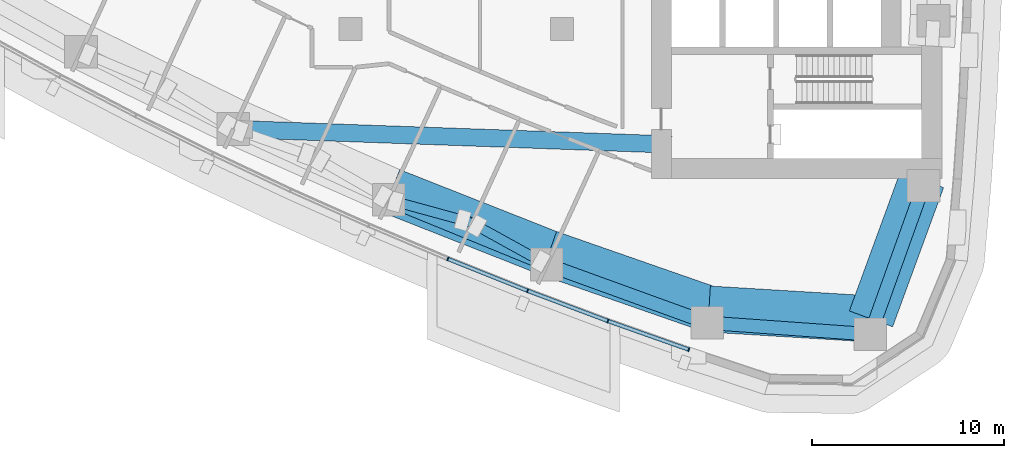
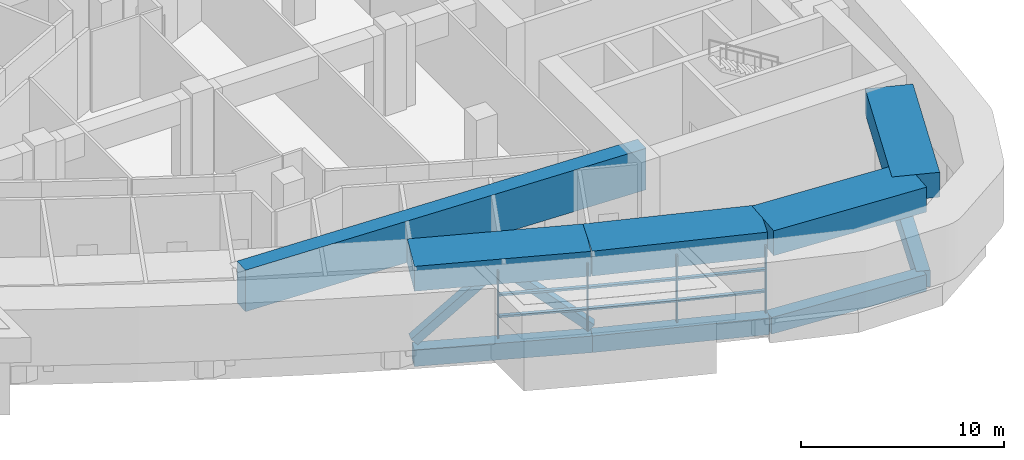
# One storey, part 4 of 19: 12 members, 9 beams, 2 elements without a shape of their own.
"""IFC4 building model written with IfcOpenShell, lengths in metres."""

from ifc_helpers import new_model, si_unit, direction, frame, origin, origin_2d, place, context, subcontext, project, spatial, rectangle, hollow_rectangle, extrude, material, layer, layer_set, material_profile, profile_set, type_object, element, aggregate, save


model = new_model("IFC4")

# Units and contexts
model_context = context("Model", 3, precision=1e-05, world=origin(), true_north=direction((0.0, 1.0)))
body_context = subcontext(model_context, "Body", "Model", "MODEL_VIEW")
ifc_project = project(units=[si_unit("LENGTHUNIT", "METRE"), si_unit("AREAUNIT", "SQUARE_METRE"), si_unit("VOLUMEUNIT", "CUBIC_METRE"), si_unit("PLANEANGLEUNIT", "RADIAN"), si_unit("MASSUNIT", "GRAM", prefix="KILO")], contexts=[model_context])

# Site, building, storey
site_placement = place(None, origin())
site = spatial("IfcSite", under=ifc_project, at=site_placement, CompositionType="ELEMENT")
building_placement = place(site_placement, origin())
building = spatial("IfcBuilding", under=site, at=building_placement, Name="Ostrand Prow Hotel Tower", CompositionType="ELEMENT")
storey_placement = place(building_placement, frame((0.0, 0.0, 120.39990234375)))
storey = spatial("IfcBuildingStorey", under=building, at=storey_placement, Name="L29", CompositionType="ELEMENT", Elevation=120.39990234375)

# Members
ifc_material_1 = material(Name="Steel S355", Category="steel")
ifc_material_profile_1 = material_profile(ifc_material_1, hollow_rectangle(XDim=0.508056640625, YDim=0.508056640625, WallThickness=0.025390625, at=origin_2d()), Name="HSS508x508x25.4")
ifc_profile_set_1 = profile_set([ifc_material_profile_1], Name="Steel S355")
member_type_1 = type_object("IfcMemberType", Name="Belt brace HSS508x508x25.4", PredefinedType="BRACE", material=ifc_profile_set_1)
member_1_placement = place(storey_placement, frame((35.98828125, -17.901611328125, 0.0), z_axis=(0.733449349635, -0.200708137587, 0.649436906116), x_axis=(0.263945359331, 0.964537633941, 0.0)))
element("IfcMember", 1, at=member_1_placement, inside=storey, type_object=member_type_1, Name="Belt brace 05", PredefinedType="BRACE", context=body_context, shape_type="SweptSolid", body=[
    extrude(hollow_rectangle(XDim=0.508056640625, YDim=0.508056640625, WallThickness=0.025390625, at=origin_2d()), origin(), (0.0, 0.0, 1.0), 5.774169921875),
])
member_2_placement = place(storey_placement, frame((44.210693359375, -21.263671875, 0.0), z_axis=(-0.675767196998, 0.373384961163, 0.635548870064), x_axis=(-0.483621287261, -0.875277356332, 0.0)))
element("IfcMember", 2, at=member_2_placement, inside=storey, type_object=member_type_1, Name="Belt brace 06", PredefinedType="BRACE", context=body_context, shape_type="SweptSolid", body=[
    extrude(hollow_rectangle(XDim=0.508056640625, YDim=0.508056640625, WallThickness=0.025390625, at=origin_2d()), origin(), (0.0, 0.0, 1.0), 5.900390625),
])

# Beams
ifc_material_2 = material(Name="Concrete C80/95", Category="concrete")
ifc_material_profile_2 = material_profile(ifc_material_2, rectangle(XDim=2.39990234375, YDim=1.5, at=origin_2d()), Name="RC 2400x1500")
ifc_profile_set_2 = profile_set([ifc_material_profile_2], Name="Concrete C80/95")
beam_type_1 = type_object("IfcBeamType", Name="Belt girder 2400x1500 C80/95", PredefinedType="BEAM", material=ifc_profile_set_2)
beam_1_placement = place(storey_placement, frame((36.121826171875, -17.442626953125, 4.150146484375), z_axis=(0.930247508784, -0.366932653767, 0.0), x_axis=(0.366932653767, 0.930247508784, 0.0)))
element("IfcBeam", 3, at=beam_1_placement, inside=storey, type_object=beam_type_1, Name="Belt girder S4-S5", PredefinedType="BEAM", context=body_context, shape_type="SweptSolid", body=[
    extrude(rectangle(XDim=2.39990234375, YDim=1.5, at=origin_2d()), origin(), (0.0, 0.0, 1.0), 8.81787109375),
])
beam_2_placement = place(storey_placement, frame((44.32470703125, -20.67822265625, 4.150146484375), z_axis=(0.944258238661, -0.329205678445, 0.0), x_axis=(0.329205678445, 0.944258238661, 0.0)))
element("IfcBeam", 4, at=beam_2_placement, inside=storey, type_object=beam_type_1, Name="Belt girder S5-S6", PredefinedType="BEAM", context=body_context, shape_type="SweptSolid", body=[
    extrude(rectangle(XDim=2.39990234375, YDim=1.5, at=origin_2d()), origin(), (0.0, 0.0, 1.0), 8.817626953125),
])
beam_3_placement = place(storey_placement, frame((52.65087890625, -23.5810546875, 4.150146484375), z_axis=(0.998154820861, -0.060720289789, 0.0), x_axis=(0.060720289789, 0.998154820861, 0.0)))
element("IfcBeam", 5, at=beam_3_placement, inside=storey, type_object=beam_type_1, Name="Belt girder S6-SE", PredefinedType="BEAM", context=body_context, shape_type="SweptSolid", body=[
    extrude(rectangle(XDim=2.39990234375, YDim=1.5, at=origin_2d()), origin(), (0.0, 0.0, 1.0), 8.443603515625),
])
beam_4_placement = place(storey_placement, frame((61.078857421875, -24.09375, 4.150146484375), z_axis=(0.344003568088, 0.938968340863, 0.0), x_axis=(-0.938968340863, 0.344003568088, 0.0)))
element("IfcBeam", 6, at=beam_4_placement, inside=storey, type_object=beam_type_1, Name="Belt girder SE-B1", PredefinedType="BEAM", context=body_context, shape_type="SweptSolid", body=[
    extrude(rectangle(XDim=2.39990234375, YDim=1.5, at=origin_2d()), origin(), (0.0, 0.0, 1.0), 7.714599609375),
])
ifc_material_3 = material(Name="Concrete C80/95", Category="concrete")
ifc_material_profile_3 = material_profile(ifc_material_3, rectangle(XDim=0.699951171875, YDim=1.0, at=origin_2d()), Name="RC 700x1000")
ifc_profile_set_3 = profile_set([ifc_material_profile_3], Name="Concrete C80/95")
beam_type_2 = type_object("IfcBeamType", Name="Edge beam 700x1000 C80/95", PredefinedType="SPANDREL", material=ifc_profile_set_3)
beam_5_placement = place(storey_placement, frame((35.98828125, -17.901611328125, -0.89990234375), z_axis=(0.925612172894, -0.378473387955, 0.0), x_axis=(0.378473387955, 0.925612172894, 0.0)))
element("IfcBeam", 7, at=beam_5_placement, inside=storey, type_object=beam_type_2, Name="Edge beam S4-S5", PredefinedType="SPANDREL", context=body_context, shape_type="SweptSolid", body=[
    extrude(rectangle(XDim=0.699951171875, YDim=1.0, at=origin_2d()), origin(), (0.0, 0.0, 1.0), 8.88330078125),
])
beam_6_placement = place(storey_placement, frame((44.210693359375, -21.263671875, -0.89990234375), z_axis=(0.940062739321, -0.341001533927, 0.0), x_axis=(0.341001533927, 0.940062739321, 0.0)))
element("IfcBeam", 8, at=beam_6_placement, inside=storey, type_object=beam_type_2, Name="Edge beam S5-S6", PredefinedType="SPANDREL", context=body_context, shape_type="SweptSolid", body=[
    extrude(rectangle(XDim=0.699951171875, YDim=1.0, at=origin_2d()), origin(), (0.0, 0.0, 1.0), 8.883544921875),
])
beam_7_placement = place(storey_placement, frame((52.561767578125, -24.29296875, -0.89990234375), z_axis=(0.99747195063, -0.071061295414, 0.0), x_axis=(0.071061295414, 0.99747195063, 0.0)))
element("IfcBeam", 9, at=beam_7_placement, inside=storey, type_object=beam_type_2, Name="Edge beam S6-SE", PredefinedType="SPANDREL", context=body_context, shape_type="SweptSolid", body=[
    extrude(rectangle(XDim=0.699951171875, YDim=1.0, at=origin_2d()), origin(), (0.0, 0.0, 1.0), 8.499755859375),
])
beam_8_placement = place(storey_placement, frame((61.0400390625, -24.89697265625, -0.89990234375), z_axis=(0.337815484063, 0.941212355809, 0.0), x_axis=(-0.941212355809, 0.337815484063, 0.0)))
element("IfcBeam", 10, at=beam_8_placement, inside=storey, type_object=beam_type_2, Name="Edge beam SE-B1", PredefinedType="SPANDREL", context=body_context, shape_type="SweptSolid", body=[
    extrude(rectangle(XDim=0.699951171875, YDim=1.0, at=origin_2d()), origin(), (0.0, 0.0, 1.0), 8.21630859375),
])

# Curtain wall, members
ifc_material_4 = material(Name="Insulated glass in bronze anodised frame", Category="glass")
ifc_layer = layer(ifc_material_4, 0.199951171875)
ifc_layer_set = layer_set([ifc_layer], Name="Insulated glass in bronze anodised frame")
curtain_wall_type = type_object("IfcCurtainWallType", Name="Plant storey louvre wall", PredefinedType="NOTDEFINED", material=ifc_layer_set)
curtain_wall_1_placement = place(storey_placement, origin())
curtain_wall_1 = element("IfcCurtainWall", 11, at=curtain_wall_1_placement, inside=storey, type_object=curtain_wall_type, Name="CW7 run CWS4", PredefinedType="NOTDEFINED")
ifc_material_5 = material(Name="Bronze anodised aluminium", Category="aluminium")
ifc_material_profile_4 = material_profile(ifc_material_5, rectangle(XDim=0.199951171875, YDim=0.06005859375, at=origin_2d()), Name="Mullion 60x200 bronze anodised aluminium")
ifc_profile_set_4 = profile_set([ifc_material_profile_4], Name="Bronze anodised aluminium")
member_type_2 = type_object("IfcMemberType", Name="Mullion 60x200 bronze anodised aluminium", PredefinedType="MULLION", material=ifc_profile_set_4)
member_3_placement = place(storey_placement, frame((39.06396484375, -20.97265625, 0.900146484375), z_axis=(0.0, 0.0, 1.0), x_axis=(0.370982121315, 0.928640008649, 0.0)))
member_3 = element("IfcMember", 12, at=member_3_placement, type_object=member_type_2, Name="CW7 mullion 2", PredefinedType="MULLION", context=body_context, shape_type="SweptSolid", body=[
    extrude(rectangle(XDim=0.199951171875, YDim=0.06005859375, at=origin_2d()), origin(), (0.0, 0.0, 1.0), 4.0),
])
member_4_placement = place(storey_placement, frame((43.211181640625, -22.62939453125, 0.900146484375), z_axis=(0.0, 0.0, 1.0), x_axis=(0.370982121315, 0.928640008649, 0.0)))
member_4 = element("IfcMember", 13, at=member_4_placement, type_object=member_type_2, Name="CW7 mullion 3", PredefinedType="MULLION", context=body_context, shape_type="SweptSolid", body=[
    extrude(rectangle(XDim=0.199951171875, YDim=0.06005859375, at=origin_2d()), origin(), (0.0, 0.0, 1.0), 4.0),
])

curtain_wall_2_placement = place(storey_placement, origin())
curtain_wall_2 = element("IfcCurtainWall", 14, at=curtain_wall_2_placement, inside=storey, type_object=curtain_wall_type, Name="CW7 run CWS5", PredefinedType="NOTDEFINED")
member_5_placement = place(storey_placement, frame((47.390869140625, -24.202880859375, 0.900146484375), z_axis=(0.0, 0.0, 1.0), x_axis=(0.333495894542, 0.942751551748, 0.0)))
member_5 = element("IfcMember", 15, at=member_5_placement, type_object=member_type_2, Name="CW7 mullion 2", PredefinedType="MULLION", context=body_context, shape_type="SweptSolid", body=[
    extrude(rectangle(XDim=0.199951171875, YDim=0.06005859375, at=origin_2d()), origin(), (0.0, 0.0, 1.0), 4.0),
])
member_6_placement = place(storey_placement, frame((51.601318359375, -25.692138671875, 0.900146484375), z_axis=(0.0, 0.0, 1.0), x_axis=(0.333495894542, 0.942751551748, 0.0)))
member_6 = element("IfcMember", 16, at=member_6_placement, type_object=member_type_2, Name="CW7 mullion 3", PredefinedType="MULLION", context=body_context, shape_type="SweptSolid", body=[
    extrude(rectangle(XDim=0.199951171875, YDim=0.06005859375, at=origin_2d()), origin(), (0.0, 0.0, 1.0), 4.0),
])

# Beam
ifc_material_6 = material(Name="Concrete C80/95", Category="concrete")
ifc_material_profile_5 = material_profile(ifc_material_6, rectangle(XDim=0.89990234375, YDim=2.5, at=origin_2d()), Name="RC 900x2500")
ifc_profile_set_5 = profile_set([ifc_material_profile_5], Name="Concrete C80/95")
beam_type_3 = type_object("IfcBeamType", Name="Outrigger lintel 900x2500 C80/95", PredefinedType="LINTEL", material=ifc_profile_set_5)
beam_9_placement = place(storey_placement, frame((50.69970703125, -15.021240234375, 3.650146484375), z_axis=(-0.999370506854, 0.035476612448, 0.0), x_axis=(-0.035476612448, -0.999370506854, 0.0)))
element("IfcBeam", 17, at=beam_9_placement, inside=storey, type_object=beam_type_3, Name="Outrigger lintel DS1", PredefinedType="LINTEL", context=body_context, shape_type="SweptSolid", body=[
    extrude(rectangle(XDim=0.89990234375, YDim=2.5, at=origin_2d()), origin(), (0.0, 0.0, 1.0), 22.406982421875),
])

# Member
ifc_material_7 = material(Name="Bronze anodised aluminium", Category="aluminium")
ifc_material_profile_6 = material_profile(ifc_material_7, rectangle(XDim=0.199951171875, YDim=0.1201171875, at=origin_2d()), Name="Transom 120x200 bronze anodised aluminium")
ifc_profile_set_6 = profile_set([ifc_material_profile_6], Name="Bronze anodised aluminium")
member_type_3 = type_object("IfcMemberType", Name="Transom 120x200 bronze anodised aluminium", PredefinedType="USERDEFINED", material=ifc_profile_set_6)
member_7_placement = place(storey_placement, frame((39.091796875, -20.983642578125, 2.2001953125), z_axis=(0.928621833209, -0.371027614724, 0.0), x_axis=(0.371027614724, 0.928621833209, 0.0)))
member_7 = element("IfcMember", 18, at=member_7_placement, type_object=member_type_3, Name="CW7 transom 2.1", ObjectType="TRANSOM", PredefinedType="USERDEFINED", context=body_context, shape_type="SweptSolid", body=[
    extrude(rectangle(XDim=0.199951171875, YDim=0.1201171875, at=origin_2d()), origin(), (0.0, 0.0, 1.0), 4.406005859375),
])

member_8_placement = place(storey_placement, frame((39.091796875, -20.983642578125, 3.5), z_axis=(0.928621833209, -0.371027614724, 0.0), x_axis=(0.371027614724, 0.928621833209, 0.0)))
member_8 = element("IfcMember", 19, at=member_8_placement, type_object=member_type_3, Name="CW7 transom 2.2", ObjectType="TRANSOM", PredefinedType="USERDEFINED", context=body_context, shape_type="SweptSolid", body=[
    extrude(rectangle(XDim=0.199951171875, YDim=0.1201171875, at=origin_2d()), origin(), (0.0, 0.0, 1.0), 4.406005859375),
])

aggregate(curtain_wall_1, [member_3, member_4, member_7, member_8])

member_9_placement = place(storey_placement, frame((43.2392578125, -22.639892578125, 2.2001953125), z_axis=(0.935868398429, -0.352349742191, 0.0), x_axis=(0.352349742191, 0.935868398429, 0.0)))
member_9 = element("IfcMember", 20, at=member_9_placement, type_object=member_type_3, Name="CW7 transom 1.1", ObjectType="TRANSOM", PredefinedType="USERDEFINED", context=body_context, shape_type="SweptSolid", body=[
    extrude(rectangle(XDim=0.199951171875, YDim=0.1201171875, at=origin_2d()), origin(), (0.0, 0.0, 1.0), 4.406005859375),
])

member_10_placement = place(storey_placement, frame((43.2392578125, -22.639892578125, 3.5), z_axis=(0.935868398429, -0.352349742191, 0.0), x_axis=(0.352349742191, 0.935868398429, 0.0)))
member_10 = element("IfcMember", 21, at=member_10_placement, type_object=member_type_3, Name="CW7 transom 1.2", ObjectType="TRANSOM", PredefinedType="USERDEFINED", context=body_context, shape_type="SweptSolid", body=[
    extrude(rectangle(XDim=0.199951171875, YDim=0.1201171875, at=origin_2d()), origin(), (0.0, 0.0, 1.0), 4.406005859375),
])

member_11_placement = place(storey_placement, frame((47.419189453125, -24.212890625, 2.2001953125), z_axis=(0.942763014139, -0.333463490013, 0.0), x_axis=(0.333463490013, 0.942763014139, 0.0)))
member_11 = element("IfcMember", 22, at=member_11_placement, type_object=member_type_3, Name="CW7 transom 2.1", ObjectType="TRANSOM", PredefinedType="USERDEFINED", context=body_context, shape_type="SweptSolid", body=[
    extrude(rectangle(XDim=0.199951171875, YDim=0.1201171875, at=origin_2d()), origin(), (0.0, 0.0, 1.0), 4.406005859375),
])

member_12_placement = place(storey_placement, frame((47.419189453125, -24.212890625, 3.5), z_axis=(0.942763014139, -0.333463490013, 0.0), x_axis=(0.333463490013, 0.942763014139, 0.0)))
member_12 = element("IfcMember", 23, at=member_12_placement, type_object=member_type_3, Name="CW7 transom 2.2", ObjectType="TRANSOM", PredefinedType="USERDEFINED", context=body_context, shape_type="SweptSolid", body=[
    extrude(rectangle(XDim=0.199951171875, YDim=0.1201171875, at=origin_2d()), origin(), (0.0, 0.0, 1.0), 4.406005859375),
])

aggregate(curtain_wall_2, [member_5, member_6, member_9, member_10, member_11, member_12])

save(model, "model.ifc")
